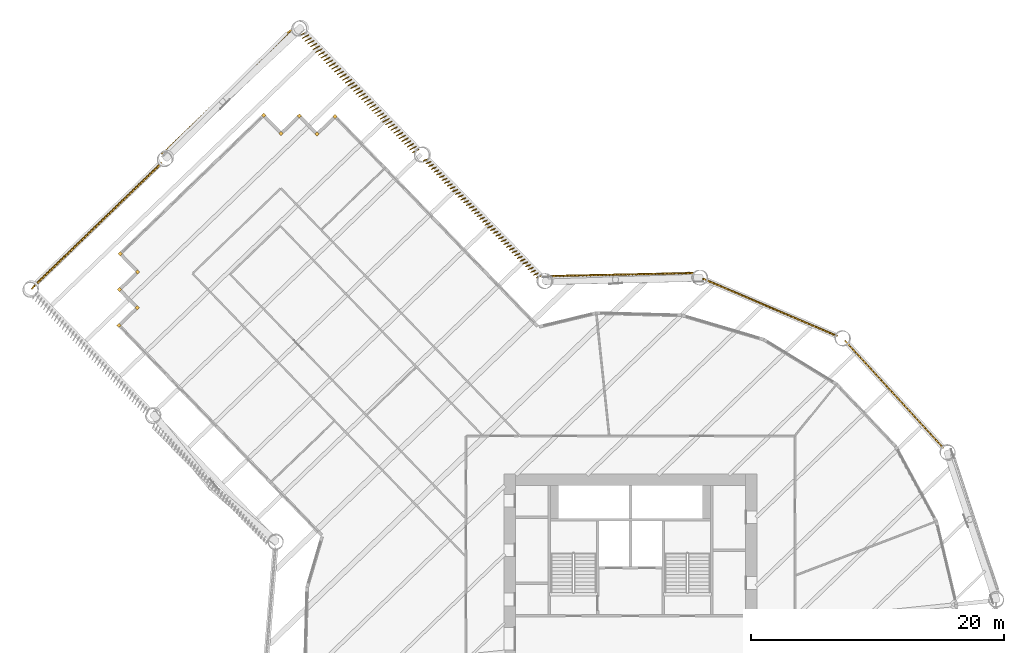
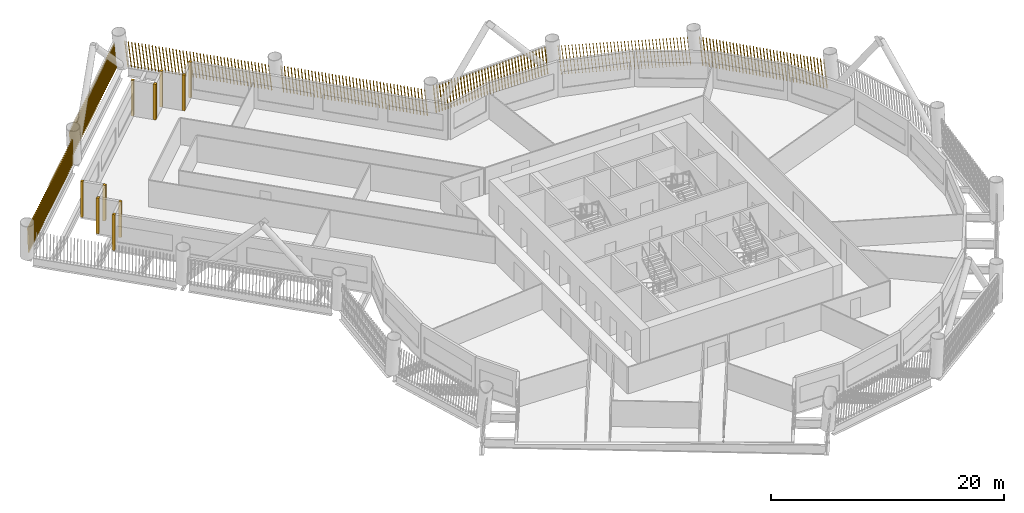
# One storey, part 21 of 22: 17 shading devices.
"""IFC4 building model written with IfcOpenShell, lengths in metres."""

from ifc_helpers import new_model, si_unit, direction, frame, frame_2d, origin, origin_2d, place, context, subcontext, project, spatial, rectangle, composite_profile, extrude, material, type_object, element, save


model = new_model("IFC4")

# Units and contexts
model_context = context("Model", 3, precision=1e-05, world=origin(), true_north=direction((0.0, 1.0)))
body_context = subcontext(model_context, "Body", "Model", "MODEL_VIEW")
ifc_project = project(units=[si_unit("LENGTHUNIT", "METRE"), si_unit("AREAUNIT", "SQUARE_METRE"), si_unit("VOLUMEUNIT", "CUBIC_METRE"), si_unit("PLANEANGLEUNIT", "RADIAN"), si_unit("MASSUNIT", "GRAM", prefix="KILO")], contexts=[model_context])

# Site, building, storey
site_placement = place(None, origin())
site = spatial("IfcSite", under=ifc_project, at=site_placement, CompositionType="ELEMENT")
building_placement = place(site_placement, origin())
building = spatial("IfcBuilding", under=site, at=building_placement, Name="Tarsis Ring Headquarters", CompositionType="ELEMENT")
storey_placement = place(building_placement, frame((0.0, 0.0, 71.199951171875)))
storey = spatial("IfcBuildingStorey", under=building, at=storey_placement, Name="L15", CompositionType="ELEMENT", Elevation=71.199951171875)

# Shading devices
ifc_material = material(Name="Terracotta baguette", Category="masonry")
shading_device_type_1 = type_object("IfcShadingDeviceType", Name="Terracotta baguette screen", PredefinedType="USERDEFINED", material=ifc_material)
shading_device_1_placement = place(storey_placement, frame((24.731689453125, 15.04296875, 0.0), z_axis=(0.0, 0.0, 1.0), x_axis=(-0.675774806841, 0.737108255925, 0.0)))
element("IfcShadingDevice", 1, at=shading_device_1_placement, inside=storey, type_object=shading_device_type_1, Name="Baguette screen L15-12", ObjectType="Terracotta baguette screen", PredefinedType="USERDEFINED", context=body_context, shape_type="SweptSolid", body=[
    extrude(composite_profile([rectangle(XDim=0.06005859375, YDim=0.1201171875, at=frame_2d((0.030029296875, 0.0))), rectangle(XDim=0.06005859375, YDim=0.1201171875, at=frame_2d((0.33251953125, 0.0))), rectangle(XDim=0.06005859375, YDim=0.1201171875, at=frame_2d((0.634765625, 0.0))), rectangle(XDim=0.06005859375, YDim=0.1201171875, at=frame_2d((0.937255859375, 0.0))), rectangle(XDim=0.06005859375, YDim=0.1201171875, at=frame_2d((1.239501953125, 0.0))), rectangle(XDim=0.06005859375, YDim=0.1201171875, at=frame_2d((1.5419921875, 0.0))), rectangle(XDim=0.06005859375, YDim=0.1201171875, at=frame_2d((1.844482421875, 0.0))), rectangle(XDim=0.06005859375, YDim=0.1201171875, at=frame_2d((2.146728515625, 0.0))), rectangle(XDim=0.06005859375, YDim=0.1201171875, at=frame_2d((2.44921875, 0.0))), rectangle(XDim=0.06005859375, YDim=0.1201171875, at=frame_2d((2.751708984375, 0.0))), rectangle(XDim=0.06005859375, YDim=0.1201171875, at=frame_2d((3.053955078125, 0.0))), rectangle(XDim=0.06005859375, YDim=0.1201171875, at=frame_2d((3.3564453125, 0.0))), rectangle(XDim=0.06005859375, YDim=0.1201171875, at=frame_2d((3.65869140625, 0.0))), rectangle(XDim=0.06005859375, YDim=0.1201171875, at=frame_2d((3.961181640625, 0.0))), rectangle(XDim=0.06005859375, YDim=0.1201171875, at=frame_2d((4.263671875, 0.0))), rectangle(XDim=0.06005859375, YDim=0.1201171875, at=frame_2d((4.56591796875, 0.0))), rectangle(XDim=0.06005859375, YDim=0.1201171875, at=frame_2d((4.868408203125, 0.0))), rectangle(XDim=0.06005859375, YDim=0.1201171875, at=frame_2d((5.1708984375, 0.0))), rectangle(XDim=0.06005859375, YDim=0.1201171875, at=frame_2d((5.47314453125, 0.0))), rectangle(XDim=0.06005859375, YDim=0.1201171875, at=frame_2d((5.775634765625, 0.0))), rectangle(XDim=0.06005859375, YDim=0.1201171875, at=frame_2d((6.077880859375, 0.0))), rectangle(XDim=0.06005859375, YDim=0.1201171875, at=frame_2d((6.38037109375, 0.0))), rectangle(XDim=0.06005859375, YDim=0.1201171875, at=frame_2d((6.682861328125, 0.0))), rectangle(XDim=0.06005859375, YDim=0.1201171875, at=frame_2d((6.985107421875, 0.0))), rectangle(XDim=0.06005859375, YDim=0.1201171875, at=frame_2d((7.28759765625, 0.0))), rectangle(XDim=0.06005859375, YDim=0.1201171875, at=frame_2d((7.590087890625, 0.0))), rectangle(XDim=0.06005859375, YDim=0.1201171875, at=frame_2d((7.892333984375, 0.0))), rectangle(XDim=0.06005859375, YDim=0.1201171875, at=frame_2d((8.19482421875, 0.0))), rectangle(XDim=0.06005859375, YDim=0.1201171875, at=frame_2d((8.4970703125, 0.0))), rectangle(XDim=0.06005859375, YDim=0.1201171875, at=frame_2d((8.799560546875, 0.0))), rectangle(XDim=0.06005859375, YDim=0.1201171875, at=frame_2d((9.10205078125, 0.0))), rectangle(XDim=0.06005859375, YDim=0.1201171875, at=frame_2d((9.404296875, 0.0))), rectangle(XDim=0.06005859375, YDim=0.1201171875, at=frame_2d((9.706787109375, 0.0))), rectangle(XDim=0.06005859375, YDim=0.1201171875, at=frame_2d((10.00927734375, 0.0))), rectangle(XDim=0.06005859375, YDim=0.1201171875, at=frame_2d((10.3115234375, 0.0))), rectangle(XDim=0.06005859375, YDim=0.1201171875, at=frame_2d((10.614013671875, 0.0))), rectangle(XDim=0.06005859375, YDim=0.1201171875, at=frame_2d((10.916259765625, 0.0))), rectangle(XDim=0.06005859375, YDim=0.1201171875, at=frame_2d((11.21875, 0.0)))]), origin(), (0.100200701731, 0.000523672498, 0.994967107567), 2.967529296875),
])
shading_device_2_placement = place(storey_placement, frame((16.332275390625, 23.899658203125, 0.0), z_axis=(0.0, 0.0, 1.0), x_axis=(-0.919522517634, 0.393054801953, 0.0)))
element("IfcShadingDevice", 2, at=shading_device_2_placement, inside=storey, type_object=shading_device_type_1, Name="Baguette screen L15-13", ObjectType="Terracotta baguette screen", PredefinedType="USERDEFINED", context=body_context, shape_type="SweptSolid", body=[
    extrude(composite_profile([rectangle(XDim=0.06005859375, YDim=0.1201171875, at=frame_2d((0.030029296875, 0.0))), rectangle(XDim=0.06005859375, YDim=0.1201171875, at=frame_2d((0.33251953125, 0.0))), rectangle(XDim=0.06005859375, YDim=0.1201171875, at=frame_2d((0.634765625, 0.0))), rectangle(XDim=0.06005859375, YDim=0.1201171875, at=frame_2d((0.937255859375, 0.0))), rectangle(XDim=0.06005859375, YDim=0.1201171875, at=frame_2d((1.239501953125, 0.0))), rectangle(XDim=0.06005859375, YDim=0.1201171875, at=frame_2d((1.5419921875, 0.0))), rectangle(XDim=0.06005859375, YDim=0.1201171875, at=frame_2d((1.844482421875, 0.0))), rectangle(XDim=0.06005859375, YDim=0.1201171875, at=frame_2d((2.146728515625, 0.0))), rectangle(XDim=0.06005859375, YDim=0.1201171875, at=frame_2d((2.44921875, 0.0))), rectangle(XDim=0.06005859375, YDim=0.1201171875, at=frame_2d((2.751708984375, 0.0))), rectangle(XDim=0.06005859375, YDim=0.1201171875, at=frame_2d((3.053955078125, 0.0))), rectangle(XDim=0.06005859375, YDim=0.1201171875, at=frame_2d((3.3564453125, 0.0))), rectangle(XDim=0.06005859375, YDim=0.1201171875, at=frame_2d((3.65869140625, 0.0))), rectangle(XDim=0.06005859375, YDim=0.1201171875, at=frame_2d((3.961181640625, 0.0))), rectangle(XDim=0.06005859375, YDim=0.1201171875, at=frame_2d((4.263671875, 0.0))), rectangle(XDim=0.06005859375, YDim=0.1201171875, at=frame_2d((4.56591796875, 0.0))), rectangle(XDim=0.06005859375, YDim=0.1201171875, at=frame_2d((4.868408203125, 0.0))), rectangle(XDim=0.06005859375, YDim=0.1201171875, at=frame_2d((5.1708984375, 0.0))), rectangle(XDim=0.06005859375, YDim=0.1201171875, at=frame_2d((5.47314453125, 0.0))), rectangle(XDim=0.06005859375, YDim=0.1201171875, at=frame_2d((5.775634765625, 0.0))), rectangle(XDim=0.06005859375, YDim=0.1201171875, at=frame_2d((6.077880859375, 0.0))), rectangle(XDim=0.06005859375, YDim=0.1201171875, at=frame_2d((6.38037109375, 0.0))), rectangle(XDim=0.06005859375, YDim=0.1201171875, at=frame_2d((6.682861328125, 0.0))), rectangle(XDim=0.06005859375, YDim=0.1201171875, at=frame_2d((6.985107421875, 0.0))), rectangle(XDim=0.06005859375, YDim=0.1201171875, at=frame_2d((7.28759765625, 0.0))), rectangle(XDim=0.06005859375, YDim=0.1201171875, at=frame_2d((7.590087890625, 0.0))), rectangle(XDim=0.06005859375, YDim=0.1201171875, at=frame_2d((7.892333984375, 0.0))), rectangle(XDim=0.06005859375, YDim=0.1201171875, at=frame_2d((8.19482421875, 0.0))), rectangle(XDim=0.06005859375, YDim=0.1201171875, at=frame_2d((8.4970703125, 0.0))), rectangle(XDim=0.06005859375, YDim=0.1201171875, at=frame_2d((8.799560546875, 0.0))), rectangle(XDim=0.06005859375, YDim=0.1201171875, at=frame_2d((9.10205078125, 0.0))), rectangle(XDim=0.06005859375, YDim=0.1201171875, at=frame_2d((9.404296875, 0.0))), rectangle(XDim=0.06005859375, YDim=0.1201171875, at=frame_2d((9.706787109375, 0.0))), rectangle(XDim=0.06005859375, YDim=0.1201171875, at=frame_2d((10.00927734375, 0.0))), rectangle(XDim=0.06005859375, YDim=0.1201171875, at=frame_2d((10.3115234375, 0.0))), rectangle(XDim=0.06005859375, YDim=0.1201171875, at=frame_2d((10.614013671875, 0.0))), rectangle(XDim=0.06005859375, YDim=0.1201171875, at=frame_2d((10.916259765625, 0.0))), rectangle(XDim=0.06005859375, YDim=0.1201171875, at=frame_2d((11.21875, 0.0)))]), origin(), (0.100201323437, 0.000525918145, 0.994967043772), 2.967529296875),
])
shading_device_3_placement = place(storey_placement, frame((5.021240234375, 28.8818359375, 0.0), z_axis=(0.0, 0.0, 1.0), x_axis=(-0.999782962561, -0.020922409116, 0.0)))
element("IfcShadingDevice", 3, at=shading_device_3_placement, inside=storey, type_object=shading_device_type_1, Name="Baguette screen L15-14", ObjectType="Terracotta baguette screen", PredefinedType="USERDEFINED", context=body_context, shape_type="SweptSolid", body=[
    extrude(composite_profile([rectangle(XDim=0.06005859375, YDim=0.1201171875, at=frame_2d((0.030029296875, 0.0))), rectangle(XDim=0.06005859375, YDim=0.1201171875, at=frame_2d((0.33251953125, 0.0))), rectangle(XDim=0.06005859375, YDim=0.1201171875, at=frame_2d((0.634765625, 0.0))), rectangle(XDim=0.06005859375, YDim=0.1201171875, at=frame_2d((0.937255859375, 0.0))), rectangle(XDim=0.06005859375, YDim=0.1201171875, at=frame_2d((1.239501953125, 0.0))), rectangle(XDim=0.06005859375, YDim=0.1201171875, at=frame_2d((1.5419921875, 0.0))), rectangle(XDim=0.06005859375, YDim=0.1201171875, at=frame_2d((1.844482421875, 0.0))), rectangle(XDim=0.06005859375, YDim=0.1201171875, at=frame_2d((2.146728515625, 0.0))), rectangle(XDim=0.06005859375, YDim=0.1201171875, at=frame_2d((2.44921875, 0.0))), rectangle(XDim=0.06005859375, YDim=0.1201171875, at=frame_2d((2.751708984375, 0.0))), rectangle(XDim=0.06005859375, YDim=0.1201171875, at=frame_2d((3.053955078125, 0.0))), rectangle(XDim=0.06005859375, YDim=0.1201171875, at=frame_2d((3.3564453125, 0.0))), rectangle(XDim=0.06005859375, YDim=0.1201171875, at=frame_2d((3.65869140625, 0.0))), rectangle(XDim=0.06005859375, YDim=0.1201171875, at=frame_2d((3.961181640625, 0.0))), rectangle(XDim=0.06005859375, YDim=0.1201171875, at=frame_2d((4.263671875, 0.0))), rectangle(XDim=0.06005859375, YDim=0.1201171875, at=frame_2d((4.56591796875, 0.0))), rectangle(XDim=0.06005859375, YDim=0.1201171875, at=frame_2d((4.868408203125, 0.0))), rectangle(XDim=0.06005859375, YDim=0.1201171875, at=frame_2d((5.1708984375, 0.0))), rectangle(XDim=0.06005859375, YDim=0.1201171875, at=frame_2d((5.47314453125, 0.0))), rectangle(XDim=0.06005859375, YDim=0.1201171875, at=frame_2d((5.775634765625, 0.0))), rectangle(XDim=0.06005859375, YDim=0.1201171875, at=frame_2d((6.077880859375, 0.0))), rectangle(XDim=0.06005859375, YDim=0.1201171875, at=frame_2d((6.38037109375, 0.0))), rectangle(XDim=0.06005859375, YDim=0.1201171875, at=frame_2d((6.682861328125, 0.0))), rectangle(XDim=0.06005859375, YDim=0.1201171875, at=frame_2d((6.985107421875, 0.0))), rectangle(XDim=0.06005859375, YDim=0.1201171875, at=frame_2d((7.28759765625, 0.0))), rectangle(XDim=0.06005859375, YDim=0.1201171875, at=frame_2d((7.590087890625, 0.0))), rectangle(XDim=0.06005859375, YDim=0.1201171875, at=frame_2d((7.892333984375, 0.0))), rectangle(XDim=0.06005859375, YDim=0.1201171875, at=frame_2d((8.19482421875, 0.0))), rectangle(XDim=0.06005859375, YDim=0.1201171875, at=frame_2d((8.4970703125, 0.0))), rectangle(XDim=0.06005859375, YDim=0.1201171875, at=frame_2d((8.799560546875, 0.0))), rectangle(XDim=0.06005859375, YDim=0.1201171875, at=frame_2d((9.10205078125, 0.0))), rectangle(XDim=0.06005859375, YDim=0.1201171875, at=frame_2d((9.404296875, 0.0))), rectangle(XDim=0.06005859375, YDim=0.1201171875, at=frame_2d((9.706787109375, 0.0))), rectangle(XDim=0.06005859375, YDim=0.1201171875, at=frame_2d((10.00927734375, 0.0))), rectangle(XDim=0.06005859375, YDim=0.1201171875, at=frame_2d((10.3115234375, 0.0))), rectangle(XDim=0.06005859375, YDim=0.1201171875, at=frame_2d((10.614013671875, 0.0))), rectangle(XDim=0.06005859375, YDim=0.1201171875, at=frame_2d((10.916259765625, 0.0))), rectangle(XDim=0.06005859375, YDim=0.1201171875, at=frame_2d((11.21875, 0.0)))]), origin(), (0.101510352486, 0.000531299005, 0.994834341013), 2.968017578125),
])
shading_device_4_placement = place(storey_placement, frame((-7.064453125, 28.620849609375, 0.0), z_axis=(0.0, 0.0, 1.0), x_axis=(-0.694652588556, 0.719346049046, 0.0)))
element("IfcShadingDevice", 4, at=shading_device_4_placement, inside=storey, type_object=shading_device_type_1, Name="Baguette screen L15-15", ObjectType="Terracotta baguette screen", PredefinedType="USERDEFINED", context=body_context, shape_type="SweptSolid", body=[
    extrude(composite_profile([rectangle(XDim=0.06005859375, YDim=0.1201171875, at=frame_2d((0.030029296875, 0.0))), rectangle(XDim=0.06005859375, YDim=0.1201171875, at=frame_2d((0.335693359375, 0.0))), rectangle(XDim=0.06005859375, YDim=0.1201171875, at=frame_2d((0.6416015625, 0.0))), rectangle(XDim=0.06005859375, YDim=0.1201171875, at=frame_2d((0.947265625, 0.0))), rectangle(XDim=0.06005859375, YDim=0.1201171875, at=frame_2d((1.253173828125, 0.0))), rectangle(XDim=0.06005859375, YDim=0.1201171875, at=frame_2d((1.558837890625, 0.0))), rectangle(XDim=0.06005859375, YDim=0.1201171875, at=frame_2d((1.864501953125, 0.0))), rectangle(XDim=0.06005859375, YDim=0.1201171875, at=frame_2d((2.17041015625, 0.0))), rectangle(XDim=0.06005859375, YDim=0.1201171875, at=frame_2d((2.47607421875, 0.0))), rectangle(XDim=0.06005859375, YDim=0.1201171875, at=frame_2d((2.781982421875, 0.0))), rectangle(XDim=0.06005859375, YDim=0.1201171875, at=frame_2d((3.087646484375, 0.0))), rectangle(XDim=0.06005859375, YDim=0.1201171875, at=frame_2d((3.393310546875, 0.0))), rectangle(XDim=0.06005859375, YDim=0.1201171875, at=frame_2d((3.69921875, 0.0))), rectangle(XDim=0.06005859375, YDim=0.1201171875, at=frame_2d((4.0048828125, 0.0))), rectangle(XDim=0.06005859375, YDim=0.1201171875, at=frame_2d((4.310791015625, 0.0))), rectangle(XDim=0.06005859375, YDim=0.1201171875, at=frame_2d((4.616455078125, 0.0))), rectangle(XDim=0.06005859375, YDim=0.1201171875, at=frame_2d((4.922119140625, 0.0))), rectangle(XDim=0.06005859375, YDim=0.1201171875, at=frame_2d((5.22802734375, 0.0))), rectangle(XDim=0.06005859375, YDim=0.1201171875, at=frame_2d((5.53369140625, 0.0))), rectangle(XDim=0.06005859375, YDim=0.1201171875, at=frame_2d((5.839599609375, 0.0))), rectangle(XDim=0.06005859375, YDim=0.1201171875, at=frame_2d((6.145263671875, 0.0))), rectangle(XDim=0.06005859375, YDim=0.1201171875, at=frame_2d((6.451171875, 0.0))), rectangle(XDim=0.06005859375, YDim=0.1201171875, at=frame_2d((6.7568359375, 0.0))), rectangle(XDim=0.06005859375, YDim=0.1201171875, at=frame_2d((7.0625, 0.0))), rectangle(XDim=0.06005859375, YDim=0.1201171875, at=frame_2d((7.368408203125, 0.0))), rectangle(XDim=0.06005859375, YDim=0.1201171875, at=frame_2d((7.674072265625, 0.0))), rectangle(XDim=0.06005859375, YDim=0.1201171875, at=frame_2d((7.97998046875, 0.0))), rectangle(XDim=0.06005859375, YDim=0.1201171875, at=frame_2d((8.28564453125, 0.0))), rectangle(XDim=0.06005859375, YDim=0.1201171875, at=frame_2d((8.59130859375, 0.0))), rectangle(XDim=0.06005859375, YDim=0.1201171875, at=frame_2d((8.897216796875, 0.0))), rectangle(XDim=0.06005859375, YDim=0.1201171875, at=frame_2d((9.202880859375, 0.0))), rectangle(XDim=0.06005859375, YDim=0.1201171875, at=frame_2d((9.5087890625, 0.0))), rectangle(XDim=0.06005859375, YDim=0.1201171875, at=frame_2d((9.814453125, 0.0))), rectangle(XDim=0.06005859375, YDim=0.1201171875, at=frame_2d((10.1201171875, 0.0))), rectangle(XDim=0.06005859375, YDim=0.1201171875, at=frame_2d((10.426025390625, 0.0))), rectangle(XDim=0.06005859375, YDim=0.1201171875, at=frame_2d((10.731689453125, 0.0))), rectangle(XDim=0.06005859375, YDim=0.1201171875, at=frame_2d((11.03759765625, 0.0))), rectangle(XDim=0.06005859375, YDim=0.1201171875, at=frame_2d((11.34326171875, 0.0))), rectangle(XDim=0.06005859375, YDim=0.1201171875, at=frame_2d((11.64892578125, 0.0))), rectangle(XDim=0.06005859375, YDim=0.1201171875, at=frame_2d((11.954833984375, 0.0))), rectangle(XDim=0.06005859375, YDim=0.1201171875, at=frame_2d((12.260498046875, 0.0))), rectangle(XDim=0.06005859375, YDim=0.1201171875, at=frame_2d((12.56640625, 0.0))), rectangle(XDim=0.06005859375, YDim=0.1201171875, at=frame_2d((12.8720703125, 0.0)))]), origin(), (0.051495159201, 0.112701594982, 0.992293605274), 2.9755859375),
])
shading_device_5_placement = place(storey_placement, frame((-16.7216796875, 38.621337890625, 0.0), z_axis=(0.0, 0.0, 1.0), x_axis=(-0.694665733154, 0.719340738358, 0.0)))
element("IfcShadingDevice", 5, at=shading_device_5_placement, inside=storey, type_object=shading_device_type_1, Name="Baguette screen L15-16", ObjectType="Terracotta baguette screen", PredefinedType="USERDEFINED", context=body_context, shape_type="SweptSolid", body=[
    extrude(composite_profile([rectangle(XDim=0.06005859375, YDim=0.1201171875, at=frame_2d((0.030029296875, 0.0))), rectangle(XDim=0.06005859375, YDim=0.1201171875, at=frame_2d((0.335693359375, 0.0))), rectangle(XDim=0.06005859375, YDim=0.1201171875, at=frame_2d((0.6416015625, 0.0))), rectangle(XDim=0.06005859375, YDim=0.1201171875, at=frame_2d((0.947265625, 0.0))), rectangle(XDim=0.06005859375, YDim=0.1201171875, at=frame_2d((1.253173828125, 0.0))), rectangle(XDim=0.06005859375, YDim=0.1201171875, at=frame_2d((1.558837890625, 0.0))), rectangle(XDim=0.06005859375, YDim=0.1201171875, at=frame_2d((1.864501953125, 0.0))), rectangle(XDim=0.06005859375, YDim=0.1201171875, at=frame_2d((2.17041015625, 0.0))), rectangle(XDim=0.06005859375, YDim=0.1201171875, at=frame_2d((2.47607421875, 0.0))), rectangle(XDim=0.06005859375, YDim=0.1201171875, at=frame_2d((2.781982421875, 0.0))), rectangle(XDim=0.06005859375, YDim=0.1201171875, at=frame_2d((3.087646484375, 0.0))), rectangle(XDim=0.06005859375, YDim=0.1201171875, at=frame_2d((3.393310546875, 0.0))), rectangle(XDim=0.06005859375, YDim=0.1201171875, at=frame_2d((3.69921875, 0.0))), rectangle(XDim=0.06005859375, YDim=0.1201171875, at=frame_2d((4.0048828125, 0.0))), rectangle(XDim=0.06005859375, YDim=0.1201171875, at=frame_2d((4.310791015625, 0.0))), rectangle(XDim=0.06005859375, YDim=0.1201171875, at=frame_2d((4.616455078125, 0.0))), rectangle(XDim=0.06005859375, YDim=0.1201171875, at=frame_2d((4.922119140625, 0.0))), rectangle(XDim=0.06005859375, YDim=0.1201171875, at=frame_2d((5.22802734375, 0.0))), rectangle(XDim=0.06005859375, YDim=0.1201171875, at=frame_2d((5.53369140625, 0.0))), rectangle(XDim=0.06005859375, YDim=0.1201171875, at=frame_2d((5.839599609375, 0.0))), rectangle(XDim=0.06005859375, YDim=0.1201171875, at=frame_2d((6.145263671875, 0.0))), rectangle(XDim=0.06005859375, YDim=0.1201171875, at=frame_2d((6.451171875, 0.0))), rectangle(XDim=0.06005859375, YDim=0.1201171875, at=frame_2d((6.7568359375, 0.0))), rectangle(XDim=0.06005859375, YDim=0.1201171875, at=frame_2d((7.0625, 0.0))), rectangle(XDim=0.06005859375, YDim=0.1201171875, at=frame_2d((7.368408203125, 0.0))), rectangle(XDim=0.06005859375, YDim=0.1201171875, at=frame_2d((7.674072265625, 0.0))), rectangle(XDim=0.06005859375, YDim=0.1201171875, at=frame_2d((7.97998046875, 0.0))), rectangle(XDim=0.06005859375, YDim=0.1201171875, at=frame_2d((8.28564453125, 0.0))), rectangle(XDim=0.06005859375, YDim=0.1201171875, at=frame_2d((8.59130859375, 0.0))), rectangle(XDim=0.06005859375, YDim=0.1201171875, at=frame_2d((8.897216796875, 0.0))), rectangle(XDim=0.06005859375, YDim=0.1201171875, at=frame_2d((9.202880859375, 0.0))), rectangle(XDim=0.06005859375, YDim=0.1201171875, at=frame_2d((9.5087890625, 0.0))), rectangle(XDim=0.06005859375, YDim=0.1201171875, at=frame_2d((9.814453125, 0.0))), rectangle(XDim=0.06005859375, YDim=0.1201171875, at=frame_2d((10.1201171875, 0.0))), rectangle(XDim=0.06005859375, YDim=0.1201171875, at=frame_2d((10.426025390625, 0.0))), rectangle(XDim=0.06005859375, YDim=0.1201171875, at=frame_2d((10.731689453125, 0.0))), rectangle(XDim=0.06005859375, YDim=0.1201171875, at=frame_2d((11.03759765625, 0.0))), rectangle(XDim=0.06005859375, YDim=0.1201171875, at=frame_2d((11.34326171875, 0.0))), rectangle(XDim=0.06005859375, YDim=0.1201171875, at=frame_2d((11.64892578125, 0.0))), rectangle(XDim=0.06005859375, YDim=0.1201171875, at=frame_2d((11.954833984375, 0.0))), rectangle(XDim=0.06005859375, YDim=0.1201171875, at=frame_2d((12.260498046875, 0.0))), rectangle(XDim=0.06005859375, YDim=0.1201171875, at=frame_2d((12.56640625, 0.0))), rectangle(XDim=0.06005859375, YDim=0.1201171875, at=frame_2d((12.8720703125, 0.0)))]), origin(), (0.050901566533, 0.160555679518, 0.985713398661), 2.995361328125),
])
shading_device_6_placement = place(storey_placement, frame((-26.65185546875, 48.1845703125, 0.0), z_axis=(0.0, 0.0, 1.0), x_axis=(-0.719332696458, -0.694653787638, 0.0)))
element("IfcShadingDevice", 6, at=shading_device_6_placement, inside=storey, type_object=shading_device_type_1, Name="Baguette screen L15-17", ObjectType="Terracotta baguette screen", PredefinedType="USERDEFINED", context=body_context, shape_type="SweptSolid", body=[
    extrude(composite_profile([rectangle(XDim=0.06005859375, YDim=0.1201171875, at=frame_2d((0.030029296875, 0.0))), rectangle(XDim=0.06005859375, YDim=0.1201171875, at=frame_2d((0.33544921875, 0.0))), rectangle(XDim=0.06005859375, YDim=0.1201171875, at=frame_2d((0.640625, 0.0))), rectangle(XDim=0.06005859375, YDim=0.1201171875, at=frame_2d((0.946044921875, 0.0))), rectangle(XDim=0.06005859375, YDim=0.1201171875, at=frame_2d((1.25146484375, 0.0))), rectangle(XDim=0.06005859375, YDim=0.1201171875, at=frame_2d((1.556640625, 0.0))), rectangle(XDim=0.06005859375, YDim=0.1201171875, at=frame_2d((1.862060546875, 0.0))), rectangle(XDim=0.06005859375, YDim=0.1201171875, at=frame_2d((2.16748046875, 0.0))), rectangle(XDim=0.06005859375, YDim=0.1201171875, at=frame_2d((2.47265625, 0.0))), rectangle(XDim=0.06005859375, YDim=0.1201171875, at=frame_2d((2.778076171875, 0.0))), rectangle(XDim=0.06005859375, YDim=0.1201171875, at=frame_2d((3.08349609375, 0.0))), rectangle(XDim=0.06005859375, YDim=0.1201171875, at=frame_2d((3.388671875, 0.0))), rectangle(XDim=0.06005859375, YDim=0.1201171875, at=frame_2d((3.694091796875, 0.0))), rectangle(XDim=0.06005859375, YDim=0.1201171875, at=frame_2d((3.99951171875, 0.0))), rectangle(XDim=0.06005859375, YDim=0.1201171875, at=frame_2d((4.3046875, 0.0))), rectangle(XDim=0.06005859375, YDim=0.1201171875, at=frame_2d((4.610107421875, 0.0))), rectangle(XDim=0.06005859375, YDim=0.1201171875, at=frame_2d((4.91552734375, 0.0))), rectangle(XDim=0.06005859375, YDim=0.1201171875, at=frame_2d((5.220703125, 0.0))), rectangle(XDim=0.06005859375, YDim=0.1201171875, at=frame_2d((5.526123046875, 0.0))), rectangle(XDim=0.06005859375, YDim=0.1201171875, at=frame_2d((5.83154296875, 0.0))), rectangle(XDim=0.06005859375, YDim=0.1201171875, at=frame_2d((6.13671875, 0.0))), rectangle(XDim=0.06005859375, YDim=0.1201171875, at=frame_2d((6.442138671875, 0.0))), rectangle(XDim=0.06005859375, YDim=0.1201171875, at=frame_2d((6.74755859375, 0.0))), rectangle(XDim=0.06005859375, YDim=0.1201171875, at=frame_2d((7.052734375, 0.0))), rectangle(XDim=0.06005859375, YDim=0.1201171875, at=frame_2d((7.358154296875, 0.0))), rectangle(XDim=0.06005859375, YDim=0.1201171875, at=frame_2d((7.66357421875, 0.0))), rectangle(XDim=0.06005859375, YDim=0.1201171875, at=frame_2d((7.96875, 0.0))), rectangle(XDim=0.06005859375, YDim=0.1201171875, at=frame_2d((8.274169921875, 0.0))), rectangle(XDim=0.06005859375, YDim=0.1201171875, at=frame_2d((8.57958984375, 0.0))), rectangle(XDim=0.06005859375, YDim=0.1201171875, at=frame_2d((8.884765625, 0.0))), rectangle(XDim=0.06005859375, YDim=0.1201171875, at=frame_2d((9.190185546875, 0.0))), rectangle(XDim=0.06005859375, YDim=0.1201171875, at=frame_2d((9.49560546875, 0.0))), rectangle(XDim=0.06005859375, YDim=0.1201171875, at=frame_2d((9.80078125, 0.0))), rectangle(XDim=0.06005859375, YDim=0.1201171875, at=frame_2d((10.106201171875, 0.0))), rectangle(XDim=0.06005859375, YDim=0.1201171875, at=frame_2d((10.41162109375, 0.0))), rectangle(XDim=0.06005859375, YDim=0.1201171875, at=frame_2d((10.716796875, 0.0))), rectangle(XDim=0.06005859375, YDim=0.1201171875, at=frame_2d((11.022216796875, 0.0))), rectangle(XDim=0.06005859375, YDim=0.1201171875, at=frame_2d((11.32763671875, 0.0))), rectangle(XDim=0.06005859375, YDim=0.1201171875, at=frame_2d((11.6328125, 0.0))), rectangle(XDim=0.06005859375, YDim=0.1201171875, at=frame_2d((11.938232421875, 0.0))), rectangle(XDim=0.06005859375, YDim=0.1201171875, at=frame_2d((12.24365234375, 0.0))), rectangle(XDim=0.06005859375, YDim=0.1201171875, at=frame_2d((12.548828125, 0.0))), rectangle(XDim=0.06005859375, YDim=0.1201171875, at=frame_2d((12.854248046875, 0.0))), rectangle(XDim=0.06005859375, YDim=0.1201171875, at=frame_2d((13.15966796875, 0.0))), rectangle(XDim=0.06005859375, YDim=0.1201171875, at=frame_2d((13.46484375, 0.0))), rectangle(XDim=0.06005859375, YDim=0.1201171875, at=frame_2d((13.770263671875, 0.0)))]), origin(), (0.185395027478, -0.024811537411, 0.982350788363), 3.005615234375),
])
shading_device_7_placement = place(storey_placement, frame((-37.03759765625, 37.6337890625, 0.0), z_axis=(0.0, 0.0, 1.0), x_axis=(-0.719345422379, -0.69464838567, 0.0)))
element("IfcShadingDevice", 7, at=shading_device_7_placement, inside=storey, type_object=shading_device_type_1, Name="Baguette screen L15-18", ObjectType="Terracotta baguette screen", PredefinedType="USERDEFINED", context=body_context, shape_type="SweptSolid", body=[
    extrude(composite_profile([rectangle(XDim=0.06005859375, YDim=0.1201171875, at=frame_2d((0.030029296875, 0.0))), rectangle(XDim=0.06005859375, YDim=0.1201171875, at=frame_2d((0.33544921875, 0.0))), rectangle(XDim=0.06005859375, YDim=0.1201171875, at=frame_2d((0.640625, 0.0))), rectangle(XDim=0.06005859375, YDim=0.1201171875, at=frame_2d((0.946044921875, 0.0))), rectangle(XDim=0.06005859375, YDim=0.1201171875, at=frame_2d((1.25146484375, 0.0))), rectangle(XDim=0.06005859375, YDim=0.1201171875, at=frame_2d((1.556640625, 0.0))), rectangle(XDim=0.06005859375, YDim=0.1201171875, at=frame_2d((1.862060546875, 0.0))), rectangle(XDim=0.06005859375, YDim=0.1201171875, at=frame_2d((2.16748046875, 0.0))), rectangle(XDim=0.06005859375, YDim=0.1201171875, at=frame_2d((2.47265625, 0.0))), rectangle(XDim=0.06005859375, YDim=0.1201171875, at=frame_2d((2.778076171875, 0.0))), rectangle(XDim=0.06005859375, YDim=0.1201171875, at=frame_2d((3.08349609375, 0.0))), rectangle(XDim=0.06005859375, YDim=0.1201171875, at=frame_2d((3.388671875, 0.0))), rectangle(XDim=0.06005859375, YDim=0.1201171875, at=frame_2d((3.694091796875, 0.0))), rectangle(XDim=0.06005859375, YDim=0.1201171875, at=frame_2d((3.99951171875, 0.0))), rectangle(XDim=0.06005859375, YDim=0.1201171875, at=frame_2d((4.3046875, 0.0))), rectangle(XDim=0.06005859375, YDim=0.1201171875, at=frame_2d((4.610107421875, 0.0))), rectangle(XDim=0.06005859375, YDim=0.1201171875, at=frame_2d((4.91552734375, 0.0))), rectangle(XDim=0.06005859375, YDim=0.1201171875, at=frame_2d((5.220703125, 0.0))), rectangle(XDim=0.06005859375, YDim=0.1201171875, at=frame_2d((5.526123046875, 0.0))), rectangle(XDim=0.06005859375, YDim=0.1201171875, at=frame_2d((5.83154296875, 0.0))), rectangle(XDim=0.06005859375, YDim=0.1201171875, at=frame_2d((6.13671875, 0.0))), rectangle(XDim=0.06005859375, YDim=0.1201171875, at=frame_2d((6.442138671875, 0.0))), rectangle(XDim=0.06005859375, YDim=0.1201171875, at=frame_2d((6.74755859375, 0.0))), rectangle(XDim=0.06005859375, YDim=0.1201171875, at=frame_2d((7.052734375, 0.0))), rectangle(XDim=0.06005859375, YDim=0.1201171875, at=frame_2d((7.358154296875, 0.0))), rectangle(XDim=0.06005859375, YDim=0.1201171875, at=frame_2d((7.66357421875, 0.0))), rectangle(XDim=0.06005859375, YDim=0.1201171875, at=frame_2d((7.96875, 0.0))), rectangle(XDim=0.06005859375, YDim=0.1201171875, at=frame_2d((8.274169921875, 0.0))), rectangle(XDim=0.06005859375, YDim=0.1201171875, at=frame_2d((8.57958984375, 0.0))), rectangle(XDim=0.06005859375, YDim=0.1201171875, at=frame_2d((8.884765625, 0.0))), rectangle(XDim=0.06005859375, YDim=0.1201171875, at=frame_2d((9.190185546875, 0.0))), rectangle(XDim=0.06005859375, YDim=0.1201171875, at=frame_2d((9.49560546875, 0.0))), rectangle(XDim=0.06005859375, YDim=0.1201171875, at=frame_2d((9.80078125, 0.0))), rectangle(XDim=0.06005859375, YDim=0.1201171875, at=frame_2d((10.106201171875, 0.0))), rectangle(XDim=0.06005859375, YDim=0.1201171875, at=frame_2d((10.41162109375, 0.0))), rectangle(XDim=0.06005859375, YDim=0.1201171875, at=frame_2d((10.716796875, 0.0))), rectangle(XDim=0.06005859375, YDim=0.1201171875, at=frame_2d((11.022216796875, 0.0))), rectangle(XDim=0.06005859375, YDim=0.1201171875, at=frame_2d((11.32763671875, 0.0))), rectangle(XDim=0.06005859375, YDim=0.1201171875, at=frame_2d((11.6328125, 0.0))), rectangle(XDim=0.06005859375, YDim=0.1201171875, at=frame_2d((11.938232421875, 0.0))), rectangle(XDim=0.06005859375, YDim=0.1201171875, at=frame_2d((12.24365234375, 0.0))), rectangle(XDim=0.06005859375, YDim=0.1201171875, at=frame_2d((12.548828125, 0.0))), rectangle(XDim=0.06005859375, YDim=0.1201171875, at=frame_2d((12.854248046875, 0.0))), rectangle(XDim=0.06005859375, YDim=0.1201171875, at=frame_2d((13.15966796875, 0.0))), rectangle(XDim=0.06005859375, YDim=0.1201171875, at=frame_2d((13.46484375, 0.0))), rectangle(XDim=0.06005859375, YDim=0.1201171875, at=frame_2d((13.770263671875, 0.0)))]), origin(), (0.18386370657, 0.02675329239, 0.982587603602), 3.0048828125),
])
shading_device_type_2 = type_object("IfcShadingDeviceType", Name="Terracotta corner baguette 250x250", PredefinedType="USERDEFINED", material=ifc_material)
for number, where, z_axis, x_axis, name in (
    (8, (-40.40966796875, 24.750732421875, 0.0), (0.0, 0.0, 1.0), (-0.719339836711, -0.694658332794, 0.0), "Corner baguette L15-01"),
    (9, (-23.3251953125, 41.248779296875, 0.0), (0.0, 0.0, 1.0), (-0.694658395569, 0.71933977609, 0.0), "Corner baguette L15-32"),
    (10, (-24.763916015625, 39.859375, 0.0), (0.0, 0.0, 1.0), (-0.719339594229, -0.694658583891, 0.0), "Corner baguette L15-33"),
    (11, (-26.1533203125, 41.298095703125, 0.0), (0.0, 0.0, 1.0), (-0.694658332794, 0.719339836711, 0.0), "Corner baguette L15-34"),
    (12, (-27.592041015625, 39.908935546875, 0.0), (0.0, 0.0, 1.0), (-0.719339836711, -0.694658332794, 0.0), "Corner baguette L15-35"),
    (13, (-28.981201171875, 41.347412109375, 0.0), (0.0, 0.0, 1.0), (-0.694658332794, 0.719339836711, 0.0), "Corner baguette L15-36"),
    (14, (-40.310791015625, 30.40673828125, 0.0), (0.0, 0.0, 1.0), (-0.719339836711, -0.694658332794, 0.0), "Corner baguette L15-37"),
    (15, (-38.921630859375, 28.968017578125, 0.0), (0.0, 0.0, 1.0), (0.694658332794, -0.719339836711, 0.0), "Corner baguette L15-38"),
    (16, (-40.3603515625, 27.57861328125, 0.0), (0.0, 0.0, 1.0), (-0.719339594229, -0.694658583891, 0.0), "Corner baguette L15-39"),
    (17, (-38.970947265625, 26.139892578125, 0.0), (0.0, 0.0, 1.0), (0.694658332794, -0.719339836711, 0.0), "Corner baguette L15-40"),
):
    element("IfcShadingDevice", number, at=place(storey_placement, frame(where, z_axis=z_axis, x_axis=x_axis)), inside=storey, type_object=shading_device_type_2, Name=name, ObjectType="Terracotta corner baguette", PredefinedType="USERDEFINED", context=body_context, shape_type="SweptSolid", body=[
        extrude(rectangle(XDim=0.25, YDim=0.25, at=origin_2d()), origin(), (0.0, 0.0, 1.0), 3.739990234375),
    ])

save(model, "model.ifc")
